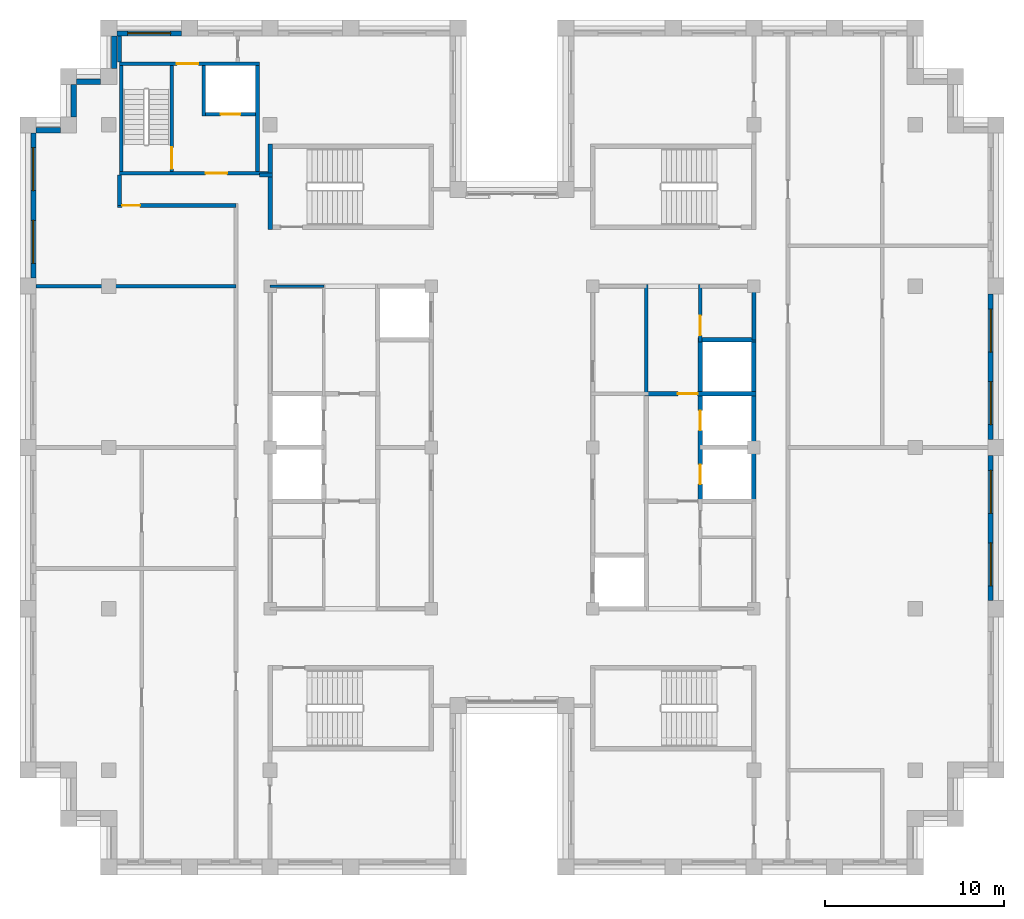
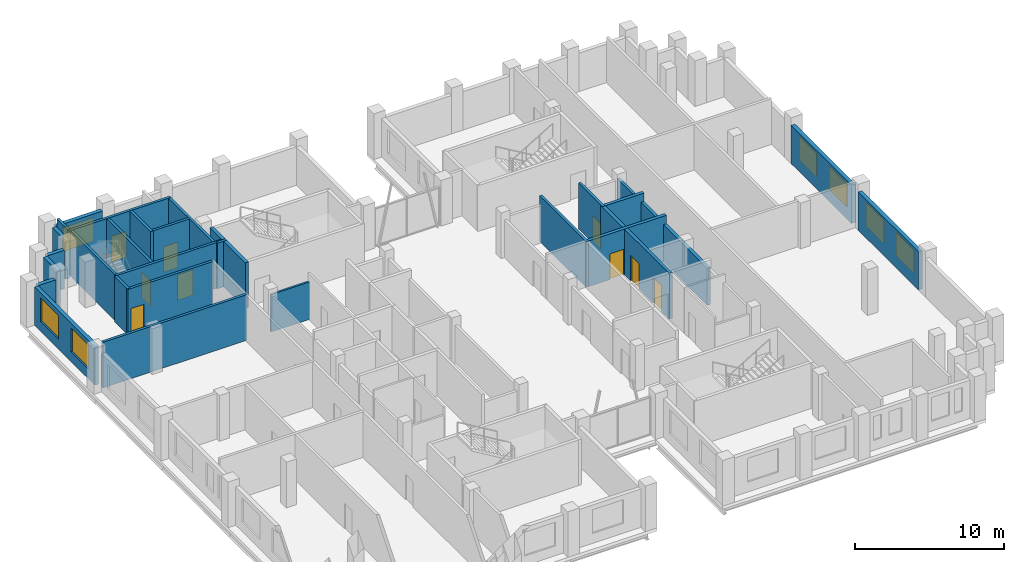
# One storey, part 9 of 13: 29 walls, 9 doors, 7 windows, 16 openings.
"""IFC4 building model written with IfcOpenShell, lengths in metres."""

from ifc_helpers import new_model, si_unit, direction, frame, frame_2d, origin, place, context, subcontext, project, spatial, rectangle, extrude, material, layer, layer_set, type_object, element, fill, save


model = new_model("IFC4")

# Units and contexts
model_context = context("Model", 3, precision=1e-05, world=origin(), true_north=direction((0.0, 1.0)))
body_context = subcontext(model_context, "Body", "Model", "MODEL_VIEW")
ifc_project = project(units=[si_unit("LENGTHUNIT", "METRE"), si_unit("AREAUNIT", "SQUARE_METRE"), si_unit("VOLUMEUNIT", "CUBIC_METRE"), si_unit("PLANEANGLEUNIT", "RADIAN"), si_unit("MASSUNIT", "GRAM", prefix="KILO")], contexts=[model_context])

# Site, building, storey
site_placement = place(None, origin())
site = spatial("IfcSite", under=ifc_project, at=site_placement, CompositionType="ELEMENT")
building_placement = place(site_placement, origin())
building = spatial("IfcBuilding", under=site, at=building_placement, Name="Corbelhall Arena Tower", CompositionType="ELEMENT")
storey_placement = place(building_placement, frame((0.0, 0.0, 312.0)))
storey = spatial("IfcBuildingStorey", under=building, at=storey_placement, Name="L68", CompositionType="ELEMENT", Elevation=312.0)

# Walls
ifc_material_1 = material(Name="Precast concrete C40/50 with granite facing", Category="masonry")
ifc_layer_1 = layer(ifc_material_1, 0.300048828125)
ifc_layer_set_1 = layer_set([ifc_layer_1], Name="EV-IW1 Infill panel 300")
wall_type_1 = type_object("IfcWallType", Name="EV-IW1 Infill panel 300", PredefinedType="SOLIDWALL", material=ifc_layer_set_1)
wall_1_placement = place(storey_placement, frame((-24.449951171875, 20.25, 0.0), z_axis=(0.0, 0.0, 1.0), x_axis=(0.0, -1.0, 0.0)))
element("IfcWall", 1, at=wall_1_placement, inside=storey, type_object=wall_type_1, Name="Infill panel IW1", PredefinedType="SOLIDWALL", context=body_context, shape_type="SweptSolid", body=[
    extrude(rectangle(XDim=1.800048828125, YDim=0.300048828125, at=frame_2d((0.89990234375, 0.0))), origin(), (0.0, 0.0, 1.0), 3.139892578125),
])
wall_2_placement = place(storey_placement, frame((-25.199951171875, 17.699951171875, 0.0), z_axis=(0.0, 0.0, 1.0), x_axis=(-1.0, 0.0, 0.0)))
element("IfcWall", 2, at=wall_2_placement, inside=storey, type_object=wall_type_1, Name="Infill panel IW1", PredefinedType="SOLIDWALL", context=body_context, shape_type="SweptSolid", body=[
    extrude(rectangle(XDim=1.35009765625, YDim=0.300048828125, at=frame_2d((0.675048828125, 0.0))), origin(), (0.0, 0.0, 1.0), 3.139892578125),
])

# Wall, openings, windows
wall_3_placement = place(storey_placement, frame((-26.699951171875, 17.550048828125, 0.0), z_axis=(0.0, 0.0, 1.0), x_axis=(0.0, -1.0, 0.0)))
wall_3 = element("IfcWall", 3, at=wall_3_placement, inside=storey, type_object=wall_type_1, Name="Infill panel IW1", PredefinedType="SOLIDWALL", context=body_context, shape_type="SweptSolid", body=[
    extrude(rectangle(XDim=8.10009765625, YDim=0.300048828125, at=frame_2d((4.050048828125, 0.0))), origin(), (0.0, 0.0, 1.0), 3.139892578125),
])
opening_1_placement = place(wall_3_placement, frame((0.824951171875, 0.0, 0.800048828125)))
opening_1 = element("IfcOpeningElement", 4, at=opening_1_placement, cuts=wall_3, Name="Opening WN1", PredefinedType="OPENING", context=body_context, shape_type="SweptSolid", body=[
    extrude(rectangle(XDim=2.39990234375, YDim=1.949951171875, at=frame_2d((1.199951171875, 0.97509765625))), frame((0.0, 0.14990234375, 0.0), z_axis=(0.0, -1.0, 0.0), x_axis=(1.0, 0.0, 0.0)), (0.0, 0.0, 1.0), 0.300048828125),
])
opening_2_placement = place(wall_3_placement, frame((4.875, 0.0, 0.800048828125)))
opening_2 = element("IfcOpeningElement", 5, at=opening_2_placement, cuts=wall_3, Name="Opening WN1", PredefinedType="OPENING", context=body_context, shape_type="SweptSolid", body=[
    extrude(rectangle(XDim=2.39990234375, YDim=1.949951171875, at=frame_2d((1.199951171875, 0.97509765625))), frame((0.0, 0.14990234375, 0.0), z_axis=(0.0, -1.0, 0.0), x_axis=(1.0, 0.0, 0.0)), (0.0, 0.0, 1.0), 0.300048828125),
])
ifc_material_2 = material(Name="Aluminium black anodised", Category="aluminium")
window_type = type_object("IfcWindowType", Name="EV-WN1 Office window", PartitioningType="SINGLE_PANEL", PredefinedType="WINDOW", material=ifc_material_2)
window_1_placement = place(opening_1_placement, origin())
window_1 = element("IfcWindow", 6, at=window_1_placement, inside=storey, type_object=window_type, Name="Window WN1", OverallHeight=1.949951171875, OverallWidth=2.39990234375, PartitioningType="SINGLE_PANEL", PredefinedType="WINDOW", context=body_context, shape_type="SweptSolid", body=[
    extrude(rectangle(XDim=2.39990234375, YDim=1.949951171875, at=frame_2d((1.199951171875, 0.97509765625))), frame((0.0, 0.030029296875, 0.0), z_axis=(0.0, -1.0, 0.0), x_axis=(1.0, 0.0, 0.0)), (0.0, 0.0, 1.0), 0.06005859375),
])
fill(opening_1, window_1)
window_2_placement = place(opening_2_placement, origin())
window_2 = element("IfcWindow", 7, at=window_2_placement, inside=storey, type_object=window_type, Name="Window WN1", OverallHeight=1.949951171875, OverallWidth=2.39990234375, PartitioningType="SINGLE_PANEL", PredefinedType="WINDOW", context=body_context, shape_type="SweptSolid", body=[
    extrude(rectangle(XDim=2.39990234375, YDim=1.949951171875, at=frame_2d((1.199951171875, 0.97509765625))), frame((0.0, 0.030029296875, 0.0), z_axis=(0.0, -1.0, 0.0), x_axis=(1.0, 0.0, 0.0)), (0.0, 0.0, 1.0), 0.06005859375),
])
fill(opening_2, window_2)

wall_4_placement = place(storey_placement, frame((26.699951171875, -8.550048828125, 0.0), z_axis=(0.0, 0.0, 1.0), x_axis=(0.0, 1.0, 0.0)))
wall_4 = element("IfcWall", 8, at=wall_4_placement, inside=storey, type_object=wall_type_1, Name="Infill panel IW1", PredefinedType="SOLIDWALL", context=body_context, shape_type="SweptSolid", body=[
    extrude(rectangle(XDim=8.10009765625, YDim=0.300048828125, at=frame_2d((4.050048828125, 0.0))), origin(), (0.0, 0.0, 1.0), 3.139892578125),
])
opening_3_placement = place(wall_4_placement, frame((0.824951171875, 0.0, 0.800048828125)))
opening_3 = element("IfcOpeningElement", 9, at=opening_3_placement, cuts=wall_4, Name="Opening WN1", PredefinedType="OPENING", context=body_context, shape_type="SweptSolid", body=[
    extrude(rectangle(XDim=2.39990234375, YDim=1.949951171875, at=frame_2d((1.199951171875, 0.97509765625))), frame((0.0, 0.14990234375, 0.0), z_axis=(0.0, -1.0, 0.0), x_axis=(1.0, 0.0, 0.0)), (0.0, 0.0, 1.0), 0.300048828125),
])
opening_4_placement = place(wall_4_placement, frame((4.875, 0.0, 0.800048828125)))
opening_4 = element("IfcOpeningElement", 10, at=opening_4_placement, cuts=wall_4, Name="Opening WN1", PredefinedType="OPENING", context=body_context, shape_type="SweptSolid", body=[
    extrude(rectangle(XDim=2.39990234375, YDim=1.949951171875, at=frame_2d((1.199951171875, 0.97509765625))), frame((0.0, 0.14990234375, 0.0), z_axis=(0.0, -1.0, 0.0), x_axis=(1.0, 0.0, 0.0)), (0.0, 0.0, 1.0), 0.300048828125),
])
window_3_placement = place(opening_3_placement, origin())
window_3 = element("IfcWindow", 11, at=window_3_placement, inside=storey, type_object=window_type, Name="Window WN1", OverallHeight=1.949951171875, OverallWidth=2.39990234375, PartitioningType="SINGLE_PANEL", PredefinedType="WINDOW", context=body_context, shape_type="SweptSolid", body=[
    extrude(rectangle(XDim=2.39990234375, YDim=1.949951171875, at=frame_2d((1.199951171875, 0.97509765625))), frame((0.0, 0.030029296875, 0.0), z_axis=(0.0, -1.0, 0.0), x_axis=(1.0, 0.0, 0.0)), (0.0, 0.0, 1.0), 0.06005859375),
])
fill(opening_3, window_3)
window_4_placement = place(opening_4_placement, origin())
window_4 = element("IfcWindow", 12, at=window_4_placement, inside=storey, type_object=window_type, Name="Window WN1", OverallHeight=1.949951171875, OverallWidth=2.39990234375, PartitioningType="SINGLE_PANEL", PredefinedType="WINDOW", context=body_context, shape_type="SweptSolid", body=[
    extrude(rectangle(XDim=2.39990234375, YDim=1.949951171875, at=frame_2d((1.199951171875, 0.97509765625))), frame((0.0, 0.030029296875, 0.0), z_axis=(0.0, -1.0, 0.0), x_axis=(1.0, 0.0, 0.0)), (0.0, 0.0, 1.0), 0.06005859375),
])
fill(opening_4, window_4)

wall_5_placement = place(storey_placement, frame((26.699951171875, 0.449951171875, 0.0), z_axis=(0.0, 0.0, 1.0), x_axis=(0.0, 1.0, 0.0)))
wall_5 = element("IfcWall", 13, at=wall_5_placement, inside=storey, type_object=wall_type_1, Name="Infill panel IW1", PredefinedType="SOLIDWALL", context=body_context, shape_type="SweptSolid", body=[
    extrude(rectangle(XDim=8.10009765625, YDim=0.300048828125, at=frame_2d((4.050048828125, 0.0))), origin(), (0.0, 0.0, 1.0), 3.139892578125),
])
opening_5_placement = place(wall_5_placement, frame((0.824951171875, 0.0, 0.800048828125)))
opening_5 = element("IfcOpeningElement", 14, at=opening_5_placement, cuts=wall_5, Name="Opening WN1", PredefinedType="OPENING", context=body_context, shape_type="SweptSolid", body=[
    extrude(rectangle(XDim=2.39990234375, YDim=1.949951171875, at=frame_2d((1.199951171875, 0.97509765625))), frame((0.0, 0.14990234375, 0.0), z_axis=(0.0, -1.0, 0.0), x_axis=(1.0, 0.0, 0.0)), (0.0, 0.0, 1.0), 0.300048828125),
])
opening_6_placement = place(wall_5_placement, frame((4.875, 0.0, 0.800048828125)))
opening_6 = element("IfcOpeningElement", 15, at=opening_6_placement, cuts=wall_5, Name="Opening WN1", PredefinedType="OPENING", context=body_context, shape_type="SweptSolid", body=[
    extrude(rectangle(XDim=2.39990234375, YDim=1.949951171875, at=frame_2d((1.199951171875, 0.97509765625))), frame((0.0, 0.14990234375, 0.0), z_axis=(0.0, -1.0, 0.0), x_axis=(1.0, 0.0, 0.0)), (0.0, 0.0, 1.0), 0.300048828125),
])
window_5_placement = place(opening_5_placement, origin())
window_5 = element("IfcWindow", 16, at=window_5_placement, inside=storey, type_object=window_type, Name="Window WN1", OverallHeight=1.949951171875, OverallWidth=2.39990234375, PartitioningType="SINGLE_PANEL", PredefinedType="WINDOW", context=body_context, shape_type="SweptSolid", body=[
    extrude(rectangle(XDim=2.39990234375, YDim=1.949951171875, at=frame_2d((1.199951171875, 0.97509765625))), frame((0.0, 0.030029296875, 0.0), z_axis=(0.0, -1.0, 0.0), x_axis=(1.0, 0.0, 0.0)), (0.0, 0.0, 1.0), 0.06005859375),
])
fill(opening_5, window_5)
window_6_placement = place(opening_6_placement, origin())
window_6 = element("IfcWindow", 17, at=window_6_placement, inside=storey, type_object=window_type, Name="Window WN1", OverallHeight=1.949951171875, OverallWidth=2.39990234375, PartitioningType="SINGLE_PANEL", PredefinedType="WINDOW", context=body_context, shape_type="SweptSolid", body=[
    extrude(rectangle(XDim=2.39990234375, YDim=1.949951171875, at=frame_2d((1.199951171875, 0.97509765625))), frame((0.0, 0.030029296875, 0.0), z_axis=(0.0, -1.0, 0.0), x_axis=(1.0, 0.0, 0.0)), (0.0, 0.0, 1.0), 0.06005859375),
])
fill(opening_6, window_6)

# Wall, opening, window
wall_6_placement = place(storey_placement, frame((-18.449951171875, 23.10009765625, 0.0), z_axis=(0.0, 0.0, 1.0), x_axis=(-1.0, 0.0, 0.0)))
wall_6 = element("IfcWall", 18, at=wall_6_placement, inside=storey, type_object=wall_type_1, Name="Infill panel IW1", PredefinedType="SOLIDWALL", context=body_context, shape_type="SweptSolid", body=[
    extrude(rectangle(XDim=3.60009765625, YDim=0.300048828125, at=frame_2d((1.800048828125, 0.0))), origin(), (0.0, 0.0, 1.0), 3.139892578125),
])
opening_7_placement = place(wall_6_placement, frame((0.60009765625, 0.0, 0.800048828125)))
opening_7 = element("IfcOpeningElement", 19, at=opening_7_placement, cuts=wall_6, Name="Opening WN1", PredefinedType="OPENING", context=body_context, shape_type="SweptSolid", body=[
    extrude(rectangle(XDim=2.39990234375, YDim=1.949951171875, at=frame_2d((1.199951171875, 0.97509765625))), frame((0.0, 0.14990234375, 0.0), z_axis=(0.0, -1.0, 0.0), x_axis=(1.0, 0.0, 0.0)), (0.0, 0.0, 1.0), 0.300048828125),
])
window_7_placement = place(opening_7_placement, origin())
window_7 = element("IfcWindow", 20, at=window_7_placement, inside=storey, type_object=window_type, Name="Window WN1", OverallHeight=1.949951171875, OverallWidth=2.39990234375, PartitioningType="SINGLE_PANEL", PredefinedType="WINDOW", context=body_context, shape_type="SweptSolid", body=[
    extrude(rectangle(XDim=2.39990234375, YDim=1.949951171875, at=frame_2d((1.199951171875, 0.97509765625))), frame((0.0, 0.030029296875, 0.0), z_axis=(0.0, -1.0, 0.0), x_axis=(1.0, 0.0, 0.0)), (0.0, 0.0, 1.0), 0.06005859375),
])
fill(opening_7, window_7)

# Walls
wall_7_placement = place(storey_placement, frame((-22.199951171875, 22.949951171875, 0.0), z_axis=(0.0, 0.0, 1.0), x_axis=(0.0, -1.0, 0.0)))
element("IfcWall", 21, at=wall_7_placement, inside=storey, type_object=wall_type_1, Name="Infill panel IW1", PredefinedType="SOLIDWALL", context=body_context, shape_type="SweptSolid", body=[
    extrude(rectangle(XDim=1.800048828125, YDim=0.300048828125, at=frame_2d((0.89990234375, 0.0))), origin(), (0.0, 0.0, 1.0), 3.139892578125),
])
wall_8_placement = place(storey_placement, frame((-22.949951171875, 20.39990234375, 0.0), z_axis=(0.0, 0.0, 1.0), x_axis=(-1.0, 0.0, 0.0)))
element("IfcWall", 22, at=wall_8_placement, inside=storey, type_object=wall_type_1, Name="Infill panel IW1", PredefinedType="SOLIDWALL", context=body_context, shape_type="SweptSolid", body=[
    extrude(rectangle(XDim=1.35009765625, YDim=0.300048828125, at=frame_2d((0.675048828125, 0.0))), origin(), (0.0, 0.0, 1.0), 3.139892578125),
])
ifc_material_3 = material(Name="Gypsum board on steel stud, acoustic", Category="steel")
ifc_layer_2 = layer(ifc_material_3, 0.199951171875)
ifc_layer_set_2 = layer_set([ifc_layer_2], Name="IN-W-DM200")
wall_type_2 = type_object("IfcWallType", Name="IN-W-DM200", PredefinedType="PARTITIONING", material=ifc_layer_set_2)
wall_9_placement = place(storey_placement, frame((-26.550048828125, 9.0, 0.0), z_axis=(0.0, 0.0, 1.0), x_axis=(1.0, 0.0, 0.0)))
element("IfcWall", 23, at=wall_9_placement, inside=storey, type_object=wall_type_2, Name="Partition 002", PredefinedType="PARTITIONING", context=body_context, shape_type="SweptSolid", body=[
    extrude(rectangle(XDim=11.150146484375, YDim=0.199951171875, at=frame_2d((5.5751953125, 0.0))), origin(), (0.0, 0.0, 1.0), 3.739990234375),
])
wall_10_placement = place(storey_placement, frame((-21.89990234375, 13.5, 0.0), z_axis=(0.0, 0.0, 1.0), x_axis=(0.0, 1.0, 0.0)))
element("IfcWall", 24, at=wall_10_placement, inside=storey, type_object=wall_type_2, Name="Partition 003", PredefinedType="PARTITIONING", context=body_context, shape_type="SweptSolid", body=[
    extrude(rectangle(XDim=1.699951171875, YDim=0.199951171875, at=frame_2d((0.85009765625, 0.0))), origin(), (0.0, 0.0, 1.0), 3.739990234375),
])
wall_11_placement = place(storey_placement, frame((-21.89990234375, 21.5, 0.0), z_axis=(0.0, 0.0, 1.0), x_axis=(0.0, 1.0, 0.0)))
element("IfcWall", 25, at=wall_11_placement, inside=storey, type_object=wall_type_2, Name="Partition 004", PredefinedType="PARTITIONING", context=body_context, shape_type="SweptSolid", body=[
    extrude(rectangle(XDim=1.449951171875, YDim=0.199951171875, at=frame_2d((0.72509765625, 0.0))), origin(), (0.0, 0.0, 1.0), 3.739990234375),
])

# Wall, opening, door
wall_12_placement = place(storey_placement, frame((-15.39990234375, 13.5, 0.0), z_axis=(0.0, 0.0, 1.0), x_axis=(-1.0, 0.0, 0.0)))
wall_12 = element("IfcWall", 26, at=wall_12_placement, inside=storey, type_object=wall_type_2, Name="Partition 008", PredefinedType="PARTITIONING", context=body_context, shape_type="SweptSolid", body=[
    extrude(rectangle(XDim=6.60009765625, YDim=0.199951171875, at=frame_2d((3.300048828125, 0.0))), origin(), (0.0, 0.0, 1.0), 3.739990234375),
])
opening_8_placement = place(wall_12_placement, frame((5.35009765625, 0.0, 0.0)))
opening_8 = element("IfcOpeningElement", 27, at=opening_8_placement, cuts=wall_12, Name="Opening 22022", PredefinedType="OPENING", context=body_context, shape_type="SweptSolid", body=[
    extrude(rectangle(XDim=1.0, YDim=2.10009765625, at=frame_2d((0.5, 1.050048828125))), frame((0.0, 0.10009765625, 0.0), z_axis=(0.0, -1.0, 0.0), x_axis=(1.0, 0.0, 0.0)), (0.0, 0.0, 1.0), 0.199951171875),
])
ifc_material_4 = material(Name="Steel door set", Category="steel")
door_type_1 = type_object("IfcDoorType", Name="IN-D-SW100", OperationType="NOTDEFINED", PredefinedType="DOOR", material=ifc_material_4)
door_1_placement = place(opening_8_placement, origin())
door_1 = element("IfcDoor", 28, at=door_1_placement, inside=storey, type_object=door_type_1, Name="Door 022", OperationType="SINGLE_SWING_LEFT", OverallHeight=2.10009765625, OverallWidth=1.0, PredefinedType="DOOR", context=body_context, shape_type="SweptSolid", body=[
    extrude(rectangle(XDim=1.0, YDim=2.10009765625, at=frame_2d((0.5, 1.050048828125))), frame((0.0, 0.02490234375, 0.0), z_axis=(0.0, -1.0, 0.0), x_axis=(1.0, 0.0, 0.0)), (0.0, 0.0, 1.0), 0.050048828125),
])
fill(opening_8, door_1)

# Wall
wall_13_placement = place(storey_placement, frame((-14.10009765625, 15.199951171875, 0.0), z_axis=(0.0, 0.0, 1.0), x_axis=(1.0, 0.0, 0.0)))
element("IfcWall", 29, at=wall_13_placement, inside=storey, type_object=wall_type_2, Name="Partition 010", PredefinedType="PARTITIONING", context=body_context, shape_type="SweptSolid", body=[
    extrude(rectangle(XDim=0.72509765625, YDim=0.199951171875, at=frame_2d((0.362548828125, 0.0))), origin(), (0.0, 0.0, 1.0), 3.739990234375),
])

# Wall, opening, door
ifc_material_5 = material(Name="Concrete C40/50", Category="concrete")
ifc_layer_3 = layer(ifc_material_5, 0.199951171875)
ifc_layer_set_3 = layer_set([ifc_layer_3], Name="IN-W-EAR200")
wall_type_3 = type_object("IfcWallType", Name="IN-W-EAR200", PredefinedType="SOLIDWALL", material=ifc_layer_set_3)
wall_14_placement = place(storey_placement, frame((-21.89990234375, 15.300048828125, 0.0), z_axis=(0.0, 0.0, 1.0), x_axis=(1.0, 0.0, 0.0)))
wall_14 = element("IfcWall", 30, at=wall_14_placement, inside=storey, type_object=wall_type_3, Name="Fire service turret wall south", PredefinedType="SOLIDWALL", context=body_context, shape_type="SweptSolid", body=[
    extrude(rectangle(XDim=8.27490234375, YDim=0.199951171875, at=frame_2d((4.137451171875, 0.0))), origin(), (0.0, 0.0, 1.0), 3.739990234375),
])
opening_9_placement = place(wall_14_placement, frame((4.800048828125, 0.0, 0.0)))
opening_9 = element("IfcOpeningElement", 31, at=opening_9_placement, cuts=wall_14, Name="Opening E222", PredefinedType="OPENING", context=body_context, shape_type="SweptSolid", body=[
    extrude(rectangle(XDim=1.199951171875, YDim=2.10009765625, at=frame_2d((0.60009765625, 1.050048828125))), frame((0.0, 0.10009765625, 0.0), z_axis=(0.0, -1.0, 0.0), x_axis=(1.0, 0.0, 0.0)), (0.0, 0.0, 1.0), 0.199951171875),
])
door_type_2 = type_object("IfcDoorType", Name="IN-D-ST120", OperationType="NOTDEFINED", PredefinedType="DOOR", material=ifc_material_4)
door_2_placement = place(opening_9_placement, origin())
door_2 = element("IfcDoor", 32, at=door_2_placement, inside=storey, type_object=door_type_2, Name="Door from fire service lift lobby to circulation", OperationType="SINGLE_SWING_RIGHT", OverallHeight=2.10009765625, OverallWidth=1.199951171875, PredefinedType="DOOR", context=body_context, shape_type="SweptSolid", body=[
    extrude(rectangle(XDim=1.199951171875, YDim=2.10009765625, at=frame_2d((0.60009765625, 1.050048828125))), frame((0.0, 0.02490234375, 0.0), z_axis=(0.0, -1.0, 0.0), x_axis=(1.0, 0.0, 0.0)), (0.0, 0.0, 1.0), 0.050048828125),
])
fill(opening_9, door_2)

wall_15_placement = place(storey_placement, frame((-21.89990234375, 21.39990234375, 0.0), z_axis=(0.0, 0.0, 1.0), x_axis=(1.0, 0.0, 0.0)))
wall_15 = element("IfcWall", 33, at=wall_15_placement, inside=storey, type_object=wall_type_3, Name="Fire service turret wall north", PredefinedType="SOLIDWALL", context=body_context, shape_type="SweptSolid", body=[
    extrude(rectangle(XDim=7.7998046875, YDim=0.199951171875, at=frame_2d((3.89990234375, 0.0))), origin(), (0.0, 0.0, 1.0), 3.739990234375),
])
opening_10_placement = place(wall_15_placement, frame((3.199951171875, 0.0, 0.0)))
opening_10 = element("IfcOpeningElement", 34, at=opening_10_placement, cuts=wall_15, Name="Opening E223", PredefinedType="OPENING", context=body_context, shape_type="SweptSolid", body=[
    extrude(rectangle(XDim=1.199951171875, YDim=2.10009765625, at=frame_2d((0.60009765625, 1.050048828125))), frame((0.0, 0.10009765625, 0.0), z_axis=(0.0, -1.0, 0.0), x_axis=(1.0, 0.0, 0.0)), (0.0, 0.0, 1.0), 0.199951171875),
])
door_3_placement = place(opening_10_placement, origin())
door_3 = element("IfcDoor", 35, at=door_3_placement, inside=storey, type_object=door_type_2, Name="Door from fire service lift lobby to the north gallery", OperationType="SINGLE_SWING_LEFT", OverallHeight=2.10009765625, OverallWidth=1.199951171875, PredefinedType="DOOR", context=body_context, shape_type="SweptSolid", body=[
    extrude(rectangle(XDim=1.199951171875, YDim=2.10009765625, at=frame_2d((0.60009765625, 1.050048828125))), frame((0.0, 0.02490234375, 0.0), z_axis=(0.0, -1.0, 0.0), x_axis=(1.0, 0.0, 0.0)), (0.0, 0.0, 1.0), 0.050048828125),
])
fill(opening_10, door_3)

# Walls
for number, where, z_axis, x_axis, name in (
    (36, (-21.800048828125, 15.39990234375, 0.0), (0.0, 0.0, 1.0), (0.0, 1.0, 0.0), "Fire service turret wall west"),
    (37, (-14.199951171875, 15.39990234375, 0.0), (0.0, 0.0, 1.0), (0.0, 1.0, 0.0), "Fire service turret wall east"),
):
    element("IfcWall", number, at=place(storey_placement, frame(where, z_axis=z_axis, x_axis=x_axis)), inside=storey, type_object=wall_type_3, Name=name, PredefinedType="SOLIDWALL", context=body_context, shape_type="SweptSolid", body=[
        extrude(rectangle(XDim=5.900146484375, YDim=0.199951171875, at=frame_2d((2.9501953125, 0.0))), origin(), (0.0, 0.0, 1.0), 3.739990234375),
    ])

# Wall, opening, door
wall_16_placement = place(storey_placement, frame((-18.989990234375, 15.39990234375, 0.0), z_axis=(0.0, 0.0, 1.0), x_axis=(0.0, 1.0, 0.0)))
wall_16 = element("IfcWall", 38, at=wall_16_placement, inside=storey, type_object=wall_type_3, Name="Fire service turret wall stair", PredefinedType="SOLIDWALL", context=body_context, shape_type="SweptSolid", body=[
    extrude(rectangle(XDim=5.900146484375, YDim=0.199951171875, at=frame_2d((2.9501953125, 0.0))), origin(), (0.0, 0.0, 1.0), 3.739990234375),
])
opening_11_placement = place(wall_16_placement, frame((0.14990234375, 0.0, 0.0)))
opening_11 = element("IfcOpeningElement", 39, at=opening_11_placement, cuts=wall_16, Name="Opening E221", PredefinedType="OPENING", context=body_context, shape_type="SweptSolid", body=[
    extrude(rectangle(XDim=1.199951171875, YDim=2.10009765625, at=frame_2d((0.60009765625, 1.050048828125))), frame((0.0, 0.10009765625, 0.0), z_axis=(0.0, -1.0, 0.0), x_axis=(1.0, 0.0, 0.0)), (0.0, 0.0, 1.0), 0.199951171875),
])
door_4_placement = place(opening_11_placement, origin())
door_4 = element("IfcDoor", 40, at=door_4_placement, inside=storey, type_object=door_type_2, Name="Stair door to fire service lobby", OperationType="SINGLE_SWING_LEFT", OverallHeight=2.10009765625, OverallWidth=1.199951171875, PredefinedType="DOOR", context=body_context, shape_type="SweptSolid", body=[
    extrude(rectangle(XDim=1.199951171875, YDim=2.10009765625, at=frame_2d((0.60009765625, 1.050048828125))), frame((0.0, 0.02490234375, 0.0), z_axis=(0.0, -1.0, 0.0), x_axis=(1.0, 0.0, 0.0)), (0.0, 0.0, 1.0), 0.050048828125),
])
fill(opening_11, door_4)

# Wall
wall_17_placement = place(storey_placement, frame((-17.199951171875, 18.5, 0.0), z_axis=(0.0, 0.0, 1.0), x_axis=(0.0, 1.0, 0.0)))
element("IfcWall", 41, at=wall_17_placement, inside=storey, type_object=wall_type_3, Name="Fire service turret wall hoistway west", PredefinedType="SOLIDWALL", context=body_context, shape_type="SweptSolid", body=[
    extrude(rectangle(XDim=2.800048828125, YDim=0.199951171875, at=frame_2d((1.39990234375, 0.0))), origin(), (0.0, 0.0, 1.0), 3.739990234375),
])

# Wall, opening, door
wall_18_placement = place(storey_placement, frame((-17.10009765625, 18.60009765625, 0.0), z_axis=(0.0, 0.0, 1.0), x_axis=(1.0, 0.0, 0.0)))
wall_18 = element("IfcWall", 42, at=wall_18_placement, inside=storey, type_object=wall_type_3, Name="Fire service turret wall hoistway south", PredefinedType="SOLIDWALL", context=body_context, shape_type="SweptSolid", body=[
    extrude(rectangle(XDim=2.800048828125, YDim=0.199951171875, at=frame_2d((1.39990234375, 0.0))), origin(), (0.0, 0.0, 1.0), 3.739990234375),
])
opening_12_placement = place(wall_18_placement, frame((0.85009765625, 0.0, 0.0)))
opening_12 = element("IfcOpeningElement", 43, at=opening_12_placement, cuts=wall_18, Name="Opening LD", PredefinedType="OPENING", context=body_context, shape_type="SweptSolid", body=[
    extrude(rectangle(XDim=1.10009765625, YDim=2.10009765625, at=frame_2d((0.550048828125, 1.050048828125))), frame((0.0, 0.10009765625, 0.0), z_axis=(0.0, -1.0, 0.0), x_axis=(1.0, 0.0, 0.0)), (0.0, 0.0, 1.0), 0.199951171875),
])
door_type_3 = type_object("IfcDoorType", Name="IN-D-LD110", OperationType="NOTDEFINED", PredefinedType="DOOR", material=ifc_material_4)
door_5_placement = place(opening_12_placement, origin())
door_5 = element("IfcDoor", 44, at=door_5_placement, inside=storey, type_object=door_type_3, Name="Landing door FS1", OperationType="SLIDING_TO_LEFT", OverallHeight=2.10009765625, OverallWidth=1.10009765625, PredefinedType="DOOR", context=body_context, shape_type="SweptSolid", body=[
    extrude(rectangle(XDim=1.10009765625, YDim=2.10009765625, at=frame_2d((0.550048828125, 1.050048828125))), frame((0.0, 0.02490234375, 0.0), z_axis=(0.0, -1.0, 0.0), x_axis=(1.0, 0.0, 0.0)), (0.0, 0.0, 1.0), 0.050048828125),
])
fill(opening_12, door_5)

# Wall
ifc_material_6 = material(Name="Concrete block wall", Category="concrete")
ifc_layer_4 = layer(ifc_material_6, 0.199951171875)
ifc_layer_set_4 = layer_set([ifc_layer_4], Name="IN-W-RS200")
wall_type_4 = type_object("IfcWallType", Name="IN-W-RS200", PredefinedType="SOLIDWALL", material=ifc_layer_set_4)
wall_19_placement = place(storey_placement, frame((7.5, 9.10009765625, 0.0), z_axis=(0.0, 0.0, 1.0), x_axis=(0.0, -1.0, 0.0)))
element("IfcWall", 45, at=wall_19_placement, inside=storey, type_object=wall_type_4, Name="Partition 035", PredefinedType="SOLIDWALL", context=body_context, shape_type="SweptSolid", body=[
    extrude(rectangle(XDim=6.22509765625, YDim=0.199951171875, at=frame_2d((3.112548828125, 0.0))), origin(), (0.0, 0.0, 1.0), 3.739990234375),
])

# Wall, opening, door
wall_20_placement = place(storey_placement, frame((10.5, 9.10009765625, 0.0), z_axis=(0.0, 0.0, 1.0), x_axis=(0.0, -1.0, 0.0)))
wall_20 = element("IfcWall", 46, at=wall_20_placement, inside=storey, type_object=wall_type_4, Name="Partition 038", PredefinedType="SOLIDWALL", context=body_context, shape_type="SweptSolid", body=[
    extrude(rectangle(XDim=3.22509765625, YDim=0.199951171875, at=frame_2d((1.612548828125, 0.0))), origin(), (0.0, 0.0, 1.0), 3.739990234375),
])
opening_13_placement = place(wall_20_placement, frame((1.75, 0.0, 0.0)))
opening_13 = element("IfcOpeningElement", 47, at=opening_13_placement, cuts=wall_20, Name="Opening 22013", PredefinedType="OPENING", context=body_context, shape_type="SweptSolid", body=[
    extrude(rectangle(XDim=1.10009765625, YDim=2.10009765625, at=frame_2d((0.550048828125, 1.050048828125))), frame((0.0, 0.10009765625, 0.0), z_axis=(0.0, -1.0, 0.0), x_axis=(1.0, 0.0, 0.0)), (0.0, 0.0, 1.0), 0.199951171875),
])
door_type_4 = type_object("IfcDoorType", Name="IN-D-FD110", OperationType="NOTDEFINED", PredefinedType="DOOR", material=ifc_material_4)
door_6_placement = place(opening_13_placement, origin())
door_6 = element("IfcDoor", 48, at=door_6_placement, inside=storey, type_object=door_type_4, Name="Door 013", OperationType="SINGLE_SWING_RIGHT", OverallHeight=2.10009765625, OverallWidth=1.10009765625, PredefinedType="DOOR", context=body_context, shape_type="SweptSolid", body=[
    extrude(rectangle(XDim=1.10009765625, YDim=2.10009765625, at=frame_2d((0.550048828125, 1.050048828125))), frame((0.0, 0.02490234375, 0.0), z_axis=(0.0, -1.0, 0.0), x_axis=(1.0, 0.0, 0.0)), (0.0, 0.0, 1.0), 0.050048828125),
])
fill(opening_13, door_6)

# Wall
ifc_layer_5 = layer(ifc_material_6, 0.199951171875)
ifc_layer_set_5 = layer_set([ifc_layer_5], Name="IN-W-RS200 under beam 678 mm")
wall_type_5 = type_object("IfcWallType", Name="IN-W-RS200 under beam 678 mm", PredefinedType="SOLIDWALL", material=ifc_layer_set_5)
wall_21_placement = place(storey_placement, frame((13.5, 9.10009765625, 0.0), z_axis=(0.0, 0.0, 1.0), x_axis=(0.0, -1.0, 0.0)))
element("IfcWall", 49, at=wall_21_placement, inside=storey, type_object=wall_type_5, Name="Partition 040", PredefinedType="SOLIDWALL", context=body_context, shape_type="SweptSolid", body=[
    extrude(rectangle(XDim=3.10009765625, YDim=0.199951171875, at=frame_2d((1.550048828125, 0.0))), origin(), (0.0, 0.0, 1.0), 3.061767578125),
])

# Wall, opening, door
ifc_layer_6 = layer(ifc_material_5, 0.25)
ifc_layer_set_6 = layer_set([ifc_layer_6], Name="IN-W-SH250")
wall_type_6 = type_object("IfcWallType", Name="IN-W-SH250", PredefinedType="SOLIDWALL", material=ifc_layer_set_6)
wall_22_placement = place(storey_placement, frame((7.5, 3.0, 0.0), z_axis=(0.0, 0.0, 1.0), x_axis=(1.0, 0.0, 0.0)))
wall_22 = element("IfcWall", 50, at=wall_22_placement, inside=storey, type_object=wall_type_6, Name="Shaft wall 056", PredefinedType="SOLIDWALL", context=body_context, shape_type="SweptSolid", body=[
    extrude(rectangle(XDim=6.125, YDim=0.25, at=frame_2d((3.0625, 0.0))), origin(), (0.0, 0.0, 1.0), 3.739990234375),
])
opening_14_placement = place(wall_22_placement, frame((1.75, 0.0, 0.0)))
opening_14 = element("IfcOpeningElement", 51, at=opening_14_placement, cuts=wall_22, Name="Opening 22011", PredefinedType="OPENING", context=body_context, shape_type="SweptSolid", body=[
    extrude(rectangle(XDim=1.10009765625, YDim=2.10009765625, at=frame_2d((0.550048828125, 1.050048828125))), frame((0.0, 0.125, 0.0), z_axis=(0.0, -1.0, 0.0), x_axis=(1.0, 0.0, 0.0)), (0.0, 0.0, 1.0), 0.25),
])
door_7_placement = place(opening_14_placement, origin())
door_7 = element("IfcDoor", 52, at=door_7_placement, inside=storey, type_object=door_type_4, Name="Door 011", OperationType="SINGLE_SWING_RIGHT", OverallHeight=2.10009765625, OverallWidth=1.10009765625, PredefinedType="DOOR", context=body_context, shape_type="SweptSolid", body=[
    extrude(rectangle(XDim=1.10009765625, YDim=2.10009765625, at=frame_2d((0.550048828125, 1.050048828125))), frame((0.0, 0.02490234375, 0.0), z_axis=(0.0, -1.0, 0.0), x_axis=(1.0, 0.0, 0.0)), (0.0, 0.0, 1.0), 0.050048828125),
])
fill(opening_14, door_7)

# Wall, openings, doors
wall_23_placement = place(storey_placement, frame((10.5, 6.125, 0.0), z_axis=(0.0, 0.0, 1.0), x_axis=(0.0, -1.0, 0.0)))
wall_23 = element("IfcWall", 53, at=wall_23_placement, inside=storey, type_object=wall_type_6, Name="Shaft wall 059", PredefinedType="SOLIDWALL", context=body_context, shape_type="SweptSolid", body=[
    extrude(rectangle(XDim=9.25, YDim=0.25, at=frame_2d((4.625, 0.0))), origin(), (0.0, 0.0, 1.0), 3.739990234375),
])
opening_15_placement = place(wall_23_placement, frame((7.074951171875, 0.0, 0.0)))
opening_15 = element("IfcOpeningElement", 54, at=opening_15_placement, cuts=wall_23, Name="Opening LD", PredefinedType="OPENING", context=body_context, shape_type="SweptSolid", body=[
    extrude(rectangle(XDim=1.10009765625, YDim=2.10009765625, at=frame_2d((0.550048828125, 1.050048828125))), frame((0.0, 0.125, 0.0), z_axis=(0.0, -1.0, 0.0), x_axis=(1.0, 0.0, 0.0)), (0.0, 0.0, 1.0), 0.25),
])
opening_16_placement = place(wall_23_placement, frame((4.074951171875, 0.0, 0.0)))
opening_16 = element("IfcOpeningElement", 55, at=opening_16_placement, cuts=wall_23, Name="Opening LD", PredefinedType="OPENING", context=body_context, shape_type="SweptSolid", body=[
    extrude(rectangle(XDim=1.10009765625, YDim=2.10009765625, at=frame_2d((0.550048828125, 1.050048828125))), frame((0.0, 0.125, 0.0), z_axis=(0.0, -1.0, 0.0), x_axis=(1.0, 0.0, 0.0)), (0.0, 0.0, 1.0), 0.25),
])
door_8_placement = place(opening_15_placement, origin())
door_8 = element("IfcDoor", 56, at=door_8_placement, inside=storey, type_object=door_type_3, Name="Landing door E3", OperationType="SLIDING_TO_LEFT", OverallHeight=2.10009765625, OverallWidth=1.10009765625, PredefinedType="DOOR", context=body_context, shape_type="SweptSolid", body=[
    extrude(rectangle(XDim=1.10009765625, YDim=2.10009765625, at=frame_2d((0.550048828125, 1.050048828125))), frame((0.0, 0.02490234375, 0.0), z_axis=(0.0, -1.0, 0.0), x_axis=(1.0, 0.0, 0.0)), (0.0, 0.0, 1.0), 0.050048828125),
])
fill(opening_15, door_8)
door_9_placement = place(opening_16_placement, origin())
door_9 = element("IfcDoor", 57, at=door_9_placement, inside=storey, type_object=door_type_3, Name="Landing door E4", OperationType="SLIDING_TO_LEFT", OverallHeight=2.10009765625, OverallWidth=1.10009765625, PredefinedType="DOOR", context=body_context, shape_type="SweptSolid", body=[
    extrude(rectangle(XDim=1.10009765625, YDim=2.10009765625, at=frame_2d((0.550048828125, 1.050048828125))), frame((0.0, 0.02490234375, 0.0), z_axis=(0.0, -1.0, 0.0), x_axis=(1.0, 0.0, 0.0)), (0.0, 0.0, 1.0), 0.050048828125),
])
fill(opening_16, door_9)

# Walls
wall_24_placement = place(storey_placement, frame((10.5, 6.0, 0.0), z_axis=(0.0, 0.0, 1.0), x_axis=(1.0, 0.0, 0.0)))
element("IfcWall", 58, at=wall_24_placement, inside=storey, type_object=wall_type_6, Name="Shaft wall 060", PredefinedType="SOLIDWALL", context=body_context, shape_type="SweptSolid", body=[
    extrude(rectangle(XDim=3.125, YDim=0.25, at=frame_2d((1.5625, 0.0))), origin(), (0.0, 0.0, 1.0), 3.739990234375),
])
ifc_layer_7 = layer(ifc_material_5, 0.25)
ifc_layer_set_7 = layer_set([ifc_layer_7], Name="IN-W-SH250 under beam 678 mm")
wall_type_7 = type_object("IfcWallType", Name="IN-W-SH250 under beam 678 mm", PredefinedType="SOLIDWALL", material=ifc_layer_set_7)
wall_25_placement = place(storey_placement, frame((13.5, 6.0, 0.0), z_axis=(0.0, 0.0, 1.0), x_axis=(0.0, -1.0, 0.0)))
element("IfcWall", 59, at=wall_25_placement, inside=storey, type_object=wall_type_7, Name="Shaft wall 061", PredefinedType="SOLIDWALL", context=body_context, shape_type="SweptSolid", body=[
    extrude(rectangle(XDim=9.0, YDim=0.25, at=frame_2d((4.5, 0.0))), origin(), (0.0, 0.0, 1.0), 3.061767578125),
])
ifc_layer_8 = layer(ifc_material_5, 0.25)
ifc_layer_set_8 = layer_set([ifc_layer_8], Name="IN-W-ST250")
wall_type_8 = type_object("IfcWallType", Name="IN-W-ST250", PredefinedType="SOLIDWALL", material=ifc_layer_set_8)
wall_26_placement = place(storey_placement, frame((-13.5, 12.175048828125, 0.0), z_axis=(0.0, 0.0, 1.0), x_axis=(0.0, 1.0, 0.0)))
element("IfcWall", 60, at=wall_26_placement, inside=storey, type_object=wall_type_8, Name="Shaft wall 064", PredefinedType="SOLIDWALL", context=body_context, shape_type="SweptSolid", body=[
    extrude(rectangle(XDim=4.75, YDim=0.25, at=frame_2d((2.375, 0.0))), origin(), (0.0, 0.0, 1.0), 3.739990234375),
])
ifc_material_7 = material(Name="Gypsum board on steel stud, moisture resistant", Category="steel")
ifc_layer_9 = layer(ifc_material_7, 0.14990234375)
ifc_layer_set_9 = layer_set([ifc_layer_9], Name="IN-W-WC150 under beam 678 mm")
wall_type_9 = type_object("IfcWallType", Name="IN-W-WC150 under beam 678 mm", PredefinedType="PARTITIONING", material=ifc_layer_set_9)
wall_27_placement = place(storey_placement, frame((-13.5, 9.0, 0.0), z_axis=(0.0, 0.0, 1.0), x_axis=(1.0, 0.0, 0.0)))
element("IfcWall", 61, at=wall_27_placement, inside=storey, type_object=wall_type_9, Name="Partition 081", PredefinedType="PARTITIONING", context=body_context, shape_type="SweptSolid", body=[
    extrude(rectangle(XDim=3.0, YDim=0.14990234375, at=frame_2d((1.5, 0.0))), origin(), (0.0, 0.0, 1.0), 3.061767578125),
])

save(model, "model.ifc")
